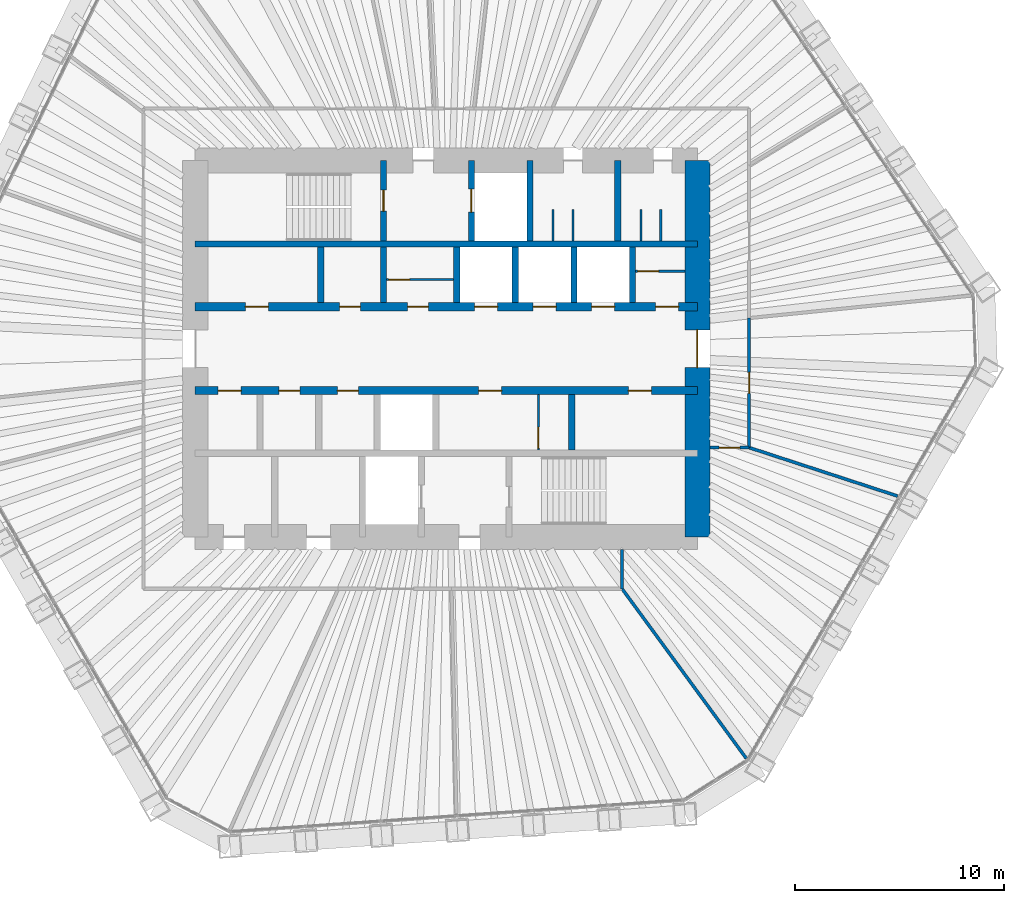
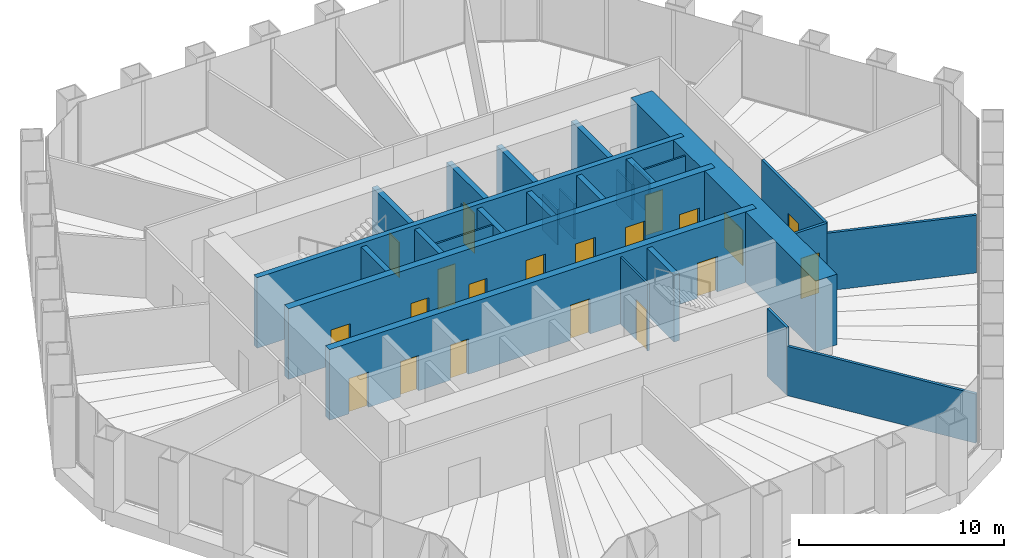
# One storey, part 11 of 14: 27 walls, 20 doors, 20 openings.
"""IFC4 building model written with IfcOpenShell, lengths in metres."""

from ifc_helpers import new_model, si_unit, direction, frame, frame_2d, origin, place, context, subcontext, project, spatial, rectangle, extrude, material, layer, layer_set, type_object, element, fill, save


model = new_model("IFC4")

# Units and contexts
model_context = context("Model", 3, precision=1e-05, world=origin(), true_north=direction((0.0, 1.0)))
body_context = subcontext(model_context, "Body", "Model", "MODEL_VIEW")
ifc_project = project(units=[si_unit("LENGTHUNIT", "METRE"), si_unit("AREAUNIT", "SQUARE_METRE"), si_unit("VOLUMEUNIT", "CUBIC_METRE"), si_unit("PLANEANGLEUNIT", "RADIAN"), si_unit("MASSUNIT", "GRAM", prefix="KILO")], contexts=[model_context])

# Site, building, storey
site_placement = place(None, origin())
site = spatial("IfcSite", under=ifc_project, at=site_placement, CompositionType="ELEMENT")
building_placement = place(site_placement, origin())
building = spatial("IfcBuilding", under=site, at=building_placement, Name="Qingtian Harvest Tower", CompositionType="ELEMENT")
storey_placement = place(building_placement, frame((0.0, 0.0, 201.39990234375)))
storey = spatial("IfcBuildingStorey", under=building, at=storey_placement, Name="L43", CompositionType="ELEMENT", Elevation=201.39990234375)

# Wall
ifc_material_1 = material(Name="Concrete fc' 70 MPa", Category="concrete")
ifc_layer_1 = layer(ifc_material_1, 0.300048828125)
ifc_layer_set_1 = layer_set([ifc_layer_1], Name="Core inner wall RC5 300")
wall_type_1 = type_object("IfcWallType", Name="Core inner wall RC5 300", PredefinedType="SHEAR", material=ifc_layer_set_1)
wall_1_placement = place(storey_placement, frame((-12.0, 5.0, 0.0), z_axis=(0.0, 0.0, 1.0), x_axis=(1.0, 0.0, 0.0)))
element("IfcWall", 1, at=wall_1_placement, inside=storey, type_object=wall_type_1, Name="Core wall IN5 L43", PredefinedType="SHEAR", context=body_context, shape_type="SweptSolid", body=[
    extrude(rectangle(XDim=24.0, YDim=0.300048828125, at=frame_2d((12.0, 0.0))), origin(), (0.0, 0.0, 1.0), 4.2001953125),
])

# Wall, openings, doors
ifc_material_2 = material(Name="Concrete fc' 70 MPa", Category="concrete")
ifc_layer_2 = layer(ifc_material_2, 0.39990234375)
ifc_layer_set_2 = layer_set([ifc_layer_2], Name="Core inner web RC6 400")
wall_type_2 = type_object("IfcWallType", Name="Core inner web RC6 400", PredefinedType="SHEAR", material=ifc_layer_set_2)
wall_2_placement = place(storey_placement, frame((-12.0, 2.0, 0.0), z_axis=(0.0, 0.0, 1.0), x_axis=(1.0, 0.0, 0.0)))
wall_2 = element("IfcWall", 2, at=wall_2_placement, inside=storey, type_object=wall_type_2, Name="Core wall IN2 L43", PredefinedType="SHEAR", context=body_context, shape_type="SweptSolid", body=[
    extrude(rectangle(XDim=24.0, YDim=0.39990234375, at=frame_2d((12.0, 0.0))), origin(), (0.0, 0.0, 1.0), 4.2001953125),
])
opening_1_placement = place(wall_2_placement, frame((2.39990234375, 0.0, 0.0)))
opening_1 = element("IfcOpeningElement", 3, at=opening_1_placement, cuts=wall_2, Name="Opening FD4", PredefinedType="OPENING", context=body_context, shape_type="SweptSolid", body=[
    extrude(rectangle(XDim=1.10009765625, YDim=2.10009765625, at=frame_2d((0.550048828125, 1.050048828125))), frame((0.0, 0.2099609375, 0.0), z_axis=(0.0, -1.0, 0.0), x_axis=(1.0, 0.0, 0.0)), (0.0, 0.0, 1.0), 0.419921875),
])
opening_2_placement = place(wall_2_placement, frame((22.0, 0.0, 0.0)))
opening_2 = element("IfcOpeningElement", 4, at=opening_2_placement, cuts=wall_2, Name="Opening FD4", PredefinedType="OPENING", context=body_context, shape_type="SweptSolid", body=[
    extrude(rectangle(XDim=1.10009765625, YDim=2.10009765625, at=frame_2d((0.550048828125, 1.050048828125))), frame((0.0, 0.2099609375, 0.0), z_axis=(0.0, -1.0, 0.0), x_axis=(1.0, 0.0, 0.0)), (0.0, 0.0, 1.0), 0.419921875),
])
opening_3_placement = place(wall_2_placement, frame((10.14990234375, 0.0, 0.0)))
opening_3 = element("IfcOpeningElement", 5, at=opening_3_placement, cuts=wall_2, Name="Opening FD1", PredefinedType="OPENING", context=body_context, shape_type="SweptSolid", body=[
    extrude(rectangle(XDim=1.0, YDim=2.10009765625, at=frame_2d((0.5, 1.050048828125))), frame((0.0, 0.2099609375, 0.0), z_axis=(0.0, -1.0, 0.0), x_axis=(1.0, 0.0, 0.0)), (0.0, 0.0, 1.0), 0.419921875),
])
opening_4_placement = place(wall_2_placement, frame((6.89990234375, 0.0, 0.0)))
opening_4 = element("IfcOpeningElement", 6, at=opening_4_placement, cuts=wall_2, Name="Opening FD1", PredefinedType="OPENING", context=body_context, shape_type="SweptSolid", body=[
    extrude(rectangle(XDim=1.0, YDim=2.10009765625, at=frame_2d((0.5, 1.050048828125))), frame((0.0, 0.2099609375, 0.0), z_axis=(0.0, -1.0, 0.0), x_axis=(1.0, 0.0, 0.0)), (0.0, 0.0, 1.0), 0.419921875),
])
opening_5_placement = place(wall_2_placement, frame((13.35009765625, 0.0, 0.0)))
opening_5 = element("IfcOpeningElement", 7, at=opening_5_placement, cuts=wall_2, Name="Opening LD1", PredefinedType="OPENING", context=body_context, shape_type="SweptSolid", body=[
    extrude(rectangle(XDim=1.10009765625, YDim=2.39990234375, at=frame_2d((0.550048828125, 1.199951171875))), frame((0.0, 0.2099609375, 0.0), z_axis=(0.0, -1.0, 0.0), x_axis=(1.0, 0.0, 0.0)), (0.0, 0.0, 1.0), 0.419921875),
])
opening_6_placement = place(wall_2_placement, frame((16.14990234375, 0.0, 0.0)))
opening_6 = element("IfcOpeningElement", 8, at=opening_6_placement, cuts=wall_2, Name="Opening LD1", PredefinedType="OPENING", context=body_context, shape_type="SweptSolid", body=[
    extrude(rectangle(XDim=1.10009765625, YDim=2.39990234375, at=frame_2d((0.550048828125, 1.199951171875))), frame((0.0, 0.2099609375, 0.0), z_axis=(0.0, -1.0, 0.0), x_axis=(1.0, 0.0, 0.0)), (0.0, 0.0, 1.0), 0.419921875),
])
opening_7_placement = place(wall_2_placement, frame((18.949951171875, 0.0, 0.0)))
opening_7 = element("IfcOpeningElement", 9, at=opening_7_placement, cuts=wall_2, Name="Opening LD1", PredefinedType="OPENING", context=body_context, shape_type="SweptSolid", body=[
    extrude(rectangle(XDim=1.10009765625, YDim=2.39990234375, at=frame_2d((0.550048828125, 1.199951171875))), frame((0.0, 0.2099609375, 0.0), z_axis=(0.0, -1.0, 0.0), x_axis=(1.0, 0.0, 0.0)), (0.0, 0.0, 1.0), 0.419921875),
])
ifc_material_3 = material(Name="Steel-faced door leaf", Category="steel")
door_type_1 = type_object("IfcDoorType", Name="Fire door FD1 single 1 HR", OperationType="SINGLE_SWING_LEFT", PredefinedType="DOOR", material=ifc_material_3)
door_1_placement = place(opening_3_placement, origin())
door_1 = element("IfcDoor", 10, at=door_1_placement, inside=storey, type_object=door_type_1, Name="STA door L43", OperationType="SINGLE_SWING_LEFT", OverallHeight=2.10009765625, OverallWidth=1.0, PredefinedType="DOOR", context=body_context, shape_type="SweptSolid", body=[
    extrude(rectangle(XDim=1.0, YDim=2.10009765625, at=frame_2d((0.5, 1.050048828125))), frame((0.0, 0.02490234375, 0.0), z_axis=(0.0, -1.0, 0.0), x_axis=(1.0, 0.0, 0.0)), (0.0, 0.0, 1.0), 0.050048828125),
])
fill(opening_3, door_1)
door_2_placement = place(opening_4_placement, origin())
door_2 = element("IfcDoor", 11, at=door_2_placement, inside=storey, type_object=door_type_1, Name="IT room door L43", OperationType="SINGLE_SWING_LEFT", OverallHeight=2.10009765625, OverallWidth=1.0, PredefinedType="DOOR", context=body_context, shape_type="SweptSolid", body=[
    extrude(rectangle(XDim=1.0, YDim=2.10009765625, at=frame_2d((0.5, 1.050048828125))), frame((0.0, 0.02490234375, 0.0), z_axis=(0.0, -1.0, 0.0), x_axis=(1.0, 0.0, 0.0)), (0.0, 0.0, 1.0), 0.050048828125),
])
fill(opening_4, door_2)
ifc_material_4 = material(Name="Steel-faced door leaf", Category="steel")
door_type_2 = type_object("IfcDoorType", Name="Fire door FD4 single 2 HR", OperationType="SINGLE_SWING_LEFT", PredefinedType="DOOR", material=ifc_material_4)
door_3_placement = place(opening_1_placement, origin())
door_3 = element("IfcDoor", 12, at=door_3_placement, inside=storey, type_object=door_type_2, Name="RA door L43", OperationType="SINGLE_SWING_LEFT", OverallHeight=2.10009765625, OverallWidth=1.10009765625, PredefinedType="DOOR", context=body_context, shape_type="SweptSolid", body=[
    extrude(rectangle(XDim=1.10009765625, YDim=2.10009765625, at=frame_2d((0.550048828125, 1.050048828125))), frame((0.0, 0.02490234375, 0.0), z_axis=(0.0, -1.0, 0.0), x_axis=(1.0, 0.0, 0.0)), (0.0, 0.0, 1.0), 0.050048828125),
])
fill(opening_1, door_3)
door_4_placement = place(opening_2_placement, origin())
door_4 = element("IfcDoor", 13, at=door_4_placement, inside=storey, type_object=door_type_2, Name="AHU door L43", OperationType="SINGLE_SWING_RIGHT", OverallHeight=2.10009765625, OverallWidth=1.10009765625, PredefinedType="DOOR", context=body_context, shape_type="SweptSolid", body=[
    extrude(rectangle(XDim=1.10009765625, YDim=2.10009765625, at=frame_2d((0.550048828125, 1.050048828125))), frame((0.0, 0.02490234375, 0.0), z_axis=(0.0, -1.0, 0.0), x_axis=(1.0, 0.0, 0.0)), (0.0, 0.0, 1.0), 0.050048828125),
])
fill(opening_2, door_4)
ifc_material_5 = material(Name="Stainless steel lift landing door", Category="steel")
door_type_3 = type_object("IfcDoorType", Name="Lift landing door LD1 1 HR", OperationType="DOUBLE_DOOR_SLIDING", PredefinedType="DOOR", material=ifc_material_5)
door_5_placement = place(opening_5_placement, origin())
door_5 = element("IfcDoor", 14, at=door_5_placement, inside=storey, type_object=door_type_3, Name="PLC1 landing door L43", OperationType="DOUBLE_DOOR_SLIDING", OverallHeight=2.39990234375, OverallWidth=1.10009765625, PredefinedType="DOOR", context=body_context, shape_type="SweptSolid", body=[
    extrude(rectangle(XDim=1.10009765625, YDim=2.39990234375, at=frame_2d((0.550048828125, 1.199951171875))), frame((0.0, 0.02490234375, 0.0), z_axis=(0.0, -1.0, 0.0), x_axis=(1.0, 0.0, 0.0)), (0.0, 0.0, 1.0), 0.050048828125),
])
fill(opening_5, door_5)
door_6_placement = place(opening_6_placement, origin())
door_6 = element("IfcDoor", 15, at=door_6_placement, inside=storey, type_object=door_type_3, Name="PLC2 landing door L43", OperationType="DOUBLE_DOOR_SLIDING", OverallHeight=2.39990234375, OverallWidth=1.10009765625, PredefinedType="DOOR", context=body_context, shape_type="SweptSolid", body=[
    extrude(rectangle(XDim=1.10009765625, YDim=2.39990234375, at=frame_2d((0.550048828125, 1.199951171875))), frame((0.0, 0.02490234375, 0.0), z_axis=(0.0, -1.0, 0.0), x_axis=(1.0, 0.0, 0.0)), (0.0, 0.0, 1.0), 0.050048828125),
])
fill(opening_6, door_6)
door_7_placement = place(opening_7_placement, origin())
door_7 = element("IfcDoor", 16, at=door_7_placement, inside=storey, type_object=door_type_3, Name="PLC3 landing door L43", OperationType="DOUBLE_DOOR_SLIDING", OverallHeight=2.39990234375, OverallWidth=1.10009765625, PredefinedType="DOOR", context=body_context, shape_type="SweptSolid", body=[
    extrude(rectangle(XDim=1.10009765625, YDim=2.39990234375, at=frame_2d((0.550048828125, 1.199951171875))), frame((0.0, 0.02490234375, 0.0), z_axis=(0.0, -1.0, 0.0), x_axis=(1.0, 0.0, 0.0)), (0.0, 0.0, 1.0), 0.050048828125),
])
fill(opening_7, door_7)

wall_3_placement = place(storey_placement, frame((-12.0, -2.0, 0.0), z_axis=(0.0, 0.0, 1.0), x_axis=(1.0, 0.0, 0.0)))
wall_3 = element("IfcWall", 17, at=wall_3_placement, inside=storey, type_object=wall_type_2, Name="Core wall IS2 L43", PredefinedType="SHEAR", context=body_context, shape_type="SweptSolid", body=[
    extrude(rectangle(XDim=24.0, YDim=0.39990234375, at=frame_2d((12.0, 0.0))), origin(), (0.0, 0.0, 1.0), 4.2001953125),
])
opening_8_placement = place(wall_3_placement, frame((1.10009765625, 0.0, 0.0)))
opening_8 = element("IfcOpeningElement", 18, at=opening_8_placement, cuts=wall_3, Name="Opening FD4", PredefinedType="OPENING", context=body_context, shape_type="SweptSolid", body=[
    extrude(rectangle(XDim=1.10009765625, YDim=2.10009765625, at=frame_2d((0.550048828125, 1.050048828125))), frame((0.0, 0.2099609375, 0.0), z_axis=(0.0, -1.0, 0.0), x_axis=(1.0, 0.0, 0.0)), (0.0, 0.0, 1.0), 0.419921875),
])
opening_9_placement = place(wall_3_placement, frame((13.550048828125, 0.0, 0.0)))
opening_9 = element("IfcOpeningElement", 19, at=opening_9_placement, cuts=wall_3, Name="Opening FD4", PredefinedType="OPENING", context=body_context, shape_type="SweptSolid", body=[
    extrude(rectangle(XDim=1.10009765625, YDim=2.10009765625, at=frame_2d((0.550048828125, 1.050048828125))), frame((0.0, 0.2099609375, 0.0), z_axis=(0.0, -1.0, 0.0), x_axis=(1.0, 0.0, 0.0)), (0.0, 0.0, 1.0), 0.419921875),
])
opening_10_placement = place(wall_3_placement, frame((20.699951171875, 0.0, 0.0)))
opening_10 = element("IfcOpeningElement", 20, at=opening_10_placement, cuts=wall_3, Name="Opening FD4", PredefinedType="OPENING", context=body_context, shape_type="SweptSolid", body=[
    extrude(rectangle(XDim=1.10009765625, YDim=2.10009765625, at=frame_2d((0.550048828125, 1.050048828125))), frame((0.0, 0.2099609375, 0.0), z_axis=(0.0, -1.0, 0.0), x_axis=(1.0, 0.0, 0.0)), (0.0, 0.0, 1.0), 0.419921875),
])
opening_11_placement = place(wall_3_placement, frame((4.0, 0.0, 0.0)))
opening_11 = element("IfcOpeningElement", 21, at=opening_11_placement, cuts=wall_3, Name="Opening FD1", PredefinedType="OPENING", context=body_context, shape_type="SweptSolid", body=[
    extrude(rectangle(XDim=1.0, YDim=2.10009765625, at=frame_2d((0.5, 1.050048828125))), frame((0.0, 0.2099609375, 0.0), z_axis=(0.0, -1.0, 0.0), x_axis=(1.0, 0.0, 0.0)), (0.0, 0.0, 1.0), 0.419921875),
])
opening_12_placement = place(wall_3_placement, frame((6.800048828125, 0.0, 0.0)))
opening_12 = element("IfcOpeningElement", 22, at=opening_12_placement, cuts=wall_3, Name="Opening FD1", PredefinedType="OPENING", context=body_context, shape_type="SweptSolid", body=[
    extrude(rectangle(XDim=1.0, YDim=2.10009765625, at=frame_2d((0.5, 1.050048828125))), frame((0.0, 0.2099609375, 0.0), z_axis=(0.0, -1.0, 0.0), x_axis=(1.0, 0.0, 0.0)), (0.0, 0.0, 1.0), 0.419921875),
])
door_8_placement = place(opening_11_placement, origin())
door_8 = element("IfcDoor", 23, at=door_8_placement, inside=storey, type_object=door_type_1, Name="IT room door L43", OperationType="SINGLE_SWING_RIGHT", OverallHeight=2.10009765625, OverallWidth=1.0, PredefinedType="DOOR", context=body_context, shape_type="SweptSolid", body=[
    extrude(rectangle(XDim=1.0, YDim=2.10009765625, at=frame_2d((0.5, 1.050048828125))), frame((0.0, 0.02490234375, 0.0), z_axis=(0.0, -1.0, 0.0), x_axis=(1.0, 0.0, 0.0)), (0.0, 0.0, 1.0), 0.050048828125),
])
fill(opening_11, door_8)
door_9_placement = place(opening_12_placement, origin())
door_9 = element("IfcDoor", 24, at=door_9_placement, inside=storey, type_object=door_type_1, Name="Store door L43", OperationType="SINGLE_SWING_RIGHT", OverallHeight=2.10009765625, OverallWidth=1.0, PredefinedType="DOOR", context=body_context, shape_type="SweptSolid", body=[
    extrude(rectangle(XDim=1.0, YDim=2.10009765625, at=frame_2d((0.5, 1.050048828125))), frame((0.0, 0.02490234375, 0.0), z_axis=(0.0, -1.0, 0.0), x_axis=(1.0, 0.0, 0.0)), (0.0, 0.0, 1.0), 0.050048828125),
])
fill(opening_12, door_9)
door_10_placement = place(opening_8_placement, origin())
door_10 = element("IfcDoor", 25, at=door_10_placement, inside=storey, type_object=door_type_2, Name="RB door L43", OperationType="SINGLE_SWING_RIGHT", OverallHeight=2.10009765625, OverallWidth=1.10009765625, PredefinedType="DOOR", context=body_context, shape_type="SweptSolid", body=[
    extrude(rectangle(XDim=1.10009765625, YDim=2.10009765625, at=frame_2d((0.550048828125, 1.050048828125))), frame((0.0, 0.02490234375, 0.0), z_axis=(0.0, -1.0, 0.0), x_axis=(1.0, 0.0, 0.0)), (0.0, 0.0, 1.0), 0.050048828125),
])
fill(opening_8, door_10)
door_11_placement = place(opening_9_placement, origin())
door_11 = element("IfcDoor", 26, at=door_11_placement, inside=storey, type_object=door_type_2, Name="ELEC door L43", OperationType="SINGLE_SWING_LEFT", OverallHeight=2.10009765625, OverallWidth=1.10009765625, PredefinedType="DOOR", context=body_context, shape_type="SweptSolid", body=[
    extrude(rectangle(XDim=1.10009765625, YDim=2.10009765625, at=frame_2d((0.550048828125, 1.050048828125))), frame((0.0, 0.02490234375, 0.0), z_axis=(0.0, -1.0, 0.0), x_axis=(1.0, 0.0, 0.0)), (0.0, 0.0, 1.0), 0.050048828125),
])
fill(opening_9, door_11)
door_12_placement = place(opening_10_placement, origin())
door_12 = element("IfcDoor", 27, at=door_12_placement, inside=storey, type_object=door_type_2, Name="DUCT door L43", OperationType="SINGLE_SWING_LEFT", OverallHeight=2.10009765625, OverallWidth=1.10009765625, PredefinedType="DOOR", context=body_context, shape_type="SweptSolid", body=[
    extrude(rectangle(XDim=1.10009765625, YDim=2.10009765625, at=frame_2d((0.550048828125, 1.050048828125))), frame((0.0, 0.02490234375, 0.0), z_axis=(0.0, -1.0, 0.0), x_axis=(1.0, 0.0, 0.0)), (0.0, 0.0, 1.0), 0.050048828125),
])
fill(opening_10, door_12)

# Wall, opening, door
ifc_material_6 = material(Name="Precast concrete shaft panel", Category="concrete")
ifc_layer_3 = layer(ifc_material_6, 0.300048828125)
ifc_layer_set_3 = layer_set([ifc_layer_3], Name="Core shaft partition SW1 300")
wall_type_3 = type_object("IfcWallType", Name="Core shaft partition SW1 300", PredefinedType="PARTITIONING", material=ifc_layer_set_3)
wall_4_placement = place(storey_placement, frame((-3.0, 5.14990234375, 0.0), z_axis=(0.0, 0.0, 1.0), x_axis=(0.0, 1.0, 0.0)))
wall_4 = element("IfcWall", 28, at=wall_4_placement, inside=storey, type_object=wall_type_3, Name="Core shaft partition XN1 L43", PredefinedType="PARTITIONING", context=body_context, shape_type="SweptSolid", body=[
    extrude(rectangle(XDim=3.85009765625, YDim=0.300048828125, at=frame_2d((1.925048828125, 0.0))), origin(), (0.0, 0.0, 1.0), 3.97998046875),
])
opening_13_placement = place(wall_4_placement, frame((1.425048828125, 0.0, 0.0)))
opening_13 = element("IfcOpeningElement", 29, at=opening_13_placement, cuts=wall_4, Name="Opening FD1", PredefinedType="OPENING", context=body_context, shape_type="SweptSolid", body=[
    extrude(rectangle(XDim=1.0, YDim=2.10009765625, at=frame_2d((0.5, 1.050048828125))), frame((0.0, 0.159912109375, 0.0), z_axis=(0.0, -1.0, 0.0), x_axis=(1.0, 0.0, 0.0)), (0.0, 0.0, 1.0), 0.320068359375),
])
door_13_placement = place(opening_13_placement, origin())
door_13 = element("IfcDoor", 30, at=door_13_placement, inside=storey, type_object=door_type_1, Name="S1 door L43", OperationType="SINGLE_SWING_LEFT", OverallHeight=2.10009765625, OverallWidth=1.0, PredefinedType="DOOR", context=body_context, shape_type="SweptSolid", body=[
    extrude(rectangle(XDim=1.0, YDim=2.10009765625, at=frame_2d((0.5, 1.050048828125))), frame((0.0, 0.02490234375, 0.0), z_axis=(0.0, -1.0, 0.0), x_axis=(1.0, 0.0, 0.0)), (0.0, 0.0, 1.0), 0.050048828125),
])
fill(opening_13, door_13)

wall_5_placement = place(storey_placement, frame((1.199951171875, 5.14990234375, 0.0), z_axis=(0.0, 0.0, 1.0), x_axis=(0.0, 1.0, 0.0)))
wall_5 = element("IfcWall", 31, at=wall_5_placement, inside=storey, type_object=wall_type_3, Name="Core shaft partition XN2 L43", PredefinedType="PARTITIONING", context=body_context, shape_type="SweptSolid", body=[
    extrude(rectangle(XDim=3.85009765625, YDim=0.300048828125, at=frame_2d((1.925048828125, 0.0))), origin(), (0.0, 0.0, 1.0), 3.97998046875),
])
opening_14_placement = place(wall_5_placement, frame((1.375, 0.0, 0.0)))
opening_14 = element("IfcOpeningElement", 32, at=opening_14_placement, cuts=wall_5, Name="Opening LD1", PredefinedType="OPENING", context=body_context, shape_type="SweptSolid", body=[
    extrude(rectangle(XDim=1.10009765625, YDim=2.39990234375, at=frame_2d((0.550048828125, 1.199951171875))), frame((0.0, 0.159912109375, 0.0), z_axis=(0.0, -1.0, 0.0), x_axis=(1.0, 0.0, 0.0)), (0.0, 0.0, 1.0), 0.320068359375),
])
door_14_placement = place(opening_14_placement, origin())
door_14 = element("IfcDoor", 33, at=door_14_placement, inside=storey, type_object=door_type_3, Name="FL1 landing door L43", OperationType="DOUBLE_DOOR_SLIDING", OverallHeight=2.39990234375, OverallWidth=1.10009765625, PredefinedType="DOOR", context=body_context, shape_type="SweptSolid", body=[
    extrude(rectangle(XDim=1.10009765625, YDim=2.39990234375, at=frame_2d((0.550048828125, 1.199951171875))), frame((0.0, 0.02490234375, 0.0), z_axis=(0.0, -1.0, 0.0), x_axis=(1.0, 0.0, 0.0)), (0.0, 0.0, 1.0), 0.050048828125),
])
fill(opening_14, door_14)

# Walls
for number, where, z_axis, x_axis, name in (
    (34, (4.0, 5.14990234375, 0.0), (0.0, 0.0, 1.0), (0.0, 1.0, 0.0), "Core shaft partition XN3 L43"),
    (35, (8.199951171875, 5.14990234375, 0.0), (0.0, 0.0, 1.0), (0.0, 1.0, 0.0), "Core shaft partition XN4 L43"),
):
    element("IfcWall", number, at=place(storey_placement, frame(where, z_axis=z_axis, x_axis=x_axis)), inside=storey, type_object=wall_type_3, Name=name, PredefinedType="PARTITIONING", context=body_context, shape_type="SweptSolid", body=[
        extrude(rectangle(XDim=3.85009765625, YDim=0.300048828125, at=frame_2d((1.925048828125, 0.0))), origin(), (0.0, 0.0, 1.0), 3.97998046875),
    ])
for number, where, z_axis, x_axis, name in (
    (36, (-6.0, 2.199951171875, 0.0), (0.0, 0.0, 1.0), (0.0, 1.0, 0.0), "Core shaft partition XA1 L43"),
    (37, (-3.0, 2.199951171875, 0.0), (0.0, 0.0, 1.0), (0.0, 1.0, 0.0), "Core shaft partition XA2 L43"),
    (38, (0.5, 2.199951171875, 0.0), (0.0, 0.0, 1.0), (0.0, 1.0, 0.0), "Core shaft partition XA3 L43"),
    (39, (3.300048828125, 2.199951171875, 0.0), (0.0, 0.0, 1.0), (0.0, 1.0, 0.0), "Core shaft partition XA4 L43"),
    (40, (6.10009765625, 2.199951171875, 0.0), (0.0, 0.0, 1.0), (0.0, 1.0, 0.0), "Core shaft partition XA5 L43"),
    (41, (8.89990234375, 2.199951171875, 0.0), (0.0, 0.0, 1.0), (0.0, 1.0, 0.0), "Core shaft partition XA6 L43"),
    (42, (6.0, -4.85009765625, 0.0), (0.0, 0.0, 1.0), (0.0, 1.0, 0.0), "Core shaft partition XB5 L43"),
):
    element("IfcWall", number, at=place(storey_placement, frame(where, z_axis=z_axis, x_axis=x_axis)), inside=storey, type_object=wall_type_3, Name=name, PredefinedType="PARTITIONING", context=body_context, shape_type="SweptSolid", body=[
        extrude(rectangle(XDim=2.650146484375, YDim=0.300048828125, at=frame_2d((1.3251953125, 0.0))), origin(), (0.0, 0.0, 1.0), 3.97998046875),
    ])

# Wall, opening, door
ifc_material_7 = material(Name="Concrete fc' 70 MPa", Category="concrete")
ifc_layer_4 = layer(ifc_material_7, 1.199951171875)
ifc_layer_set_4 = layer_set([ifc_layer_4], Name="Core wall RC2 1200")
wall_type_4 = type_object("IfcWallType", Name="Core wall RC2 1200", PredefinedType="SHEAR", material=ifc_layer_set_4)
wall_6_placement = place(storey_placement, frame((12.0, -9.0, 0.0), z_axis=(0.0, 0.0, 1.0), x_axis=(0.0, 1.0, 0.0)))
wall_6 = element("IfcWall", 43, at=wall_6_placement, inside=storey, type_object=wall_type_4, Name="Core wall CE L43", PredefinedType="SHEAR", context=body_context, shape_type="SweptSolid", body=[
    extrude(rectangle(XDim=18.0, YDim=1.199951171875, at=frame_2d((9.0, 0.0))), origin(), (0.0, 0.0, 1.0), 4.2001953125),
])
opening_15_placement = place(wall_6_placement, frame((8.10009765625, 0.0, 0.0)))
opening_15 = element("IfcOpeningElement", 44, at=opening_15_placement, cuts=wall_6, Name="Opening FD2", PredefinedType="OPENING", context=body_context, shape_type="SweptSolid", body=[
    extrude(rectangle(XDim=1.800048828125, YDim=2.10009765625, at=frame_2d((0.89990234375, 1.050048828125))), frame((0.0, 0.60986328125, 0.0), z_axis=(0.0, -1.0, 0.0), x_axis=(1.0, 0.0, 0.0)), (0.0, 0.0, 1.0), 1.219970703125),
])
ifc_material_8 = material(Name="Steel-faced door leaf", Category="steel")
door_type_4 = type_object("IfcDoorType", Name="Fire door FD2 double 1 HR", OperationType="DOUBLE_DOOR_DOUBLE_SWING", PredefinedType="DOOR", material=ifc_material_8)
door_15_placement = place(opening_15_placement, origin())
door_15 = element("IfcDoor", 45, at=door_15_placement, inside=storey, type_object=door_type_4, Name="LOBBY-E door L43", OperationType="DOUBLE_DOOR_DOUBLE_SWING", OverallHeight=2.10009765625, OverallWidth=1.800048828125, PredefinedType="DOOR", context=body_context, shape_type="SweptSolid", body=[
    extrude(rectangle(XDim=1.800048828125, YDim=2.10009765625, at=frame_2d((0.89990234375, 1.050048828125))), frame((0.0, 0.02490234375, 0.0), z_axis=(0.0, -1.0, 0.0), x_axis=(1.0, 0.0, 0.0)), (0.0, 0.0, 1.0), 0.050048828125),
])
fill(opening_15, door_15)

ifc_material_9 = material(Name="Gypsum board on steel studs", Category="steel")
ifc_layer_5 = layer(ifc_material_9, 0.14990234375)
ifc_layer_set_5 = layer_set([ifc_layer_5], Name="Partition PT1 150")
wall_type_5 = type_object("IfcWallType", Name="Partition PT1 150", PredefinedType="PARTITIONING", material=ifc_layer_set_5)
wall_7_placement = place(storey_placement, frame((14.47509765625, 1.462646484375, 0.0), z_axis=(0.0, 0.0, 1.0), x_axis=(0.0, -1.0, 0.0)))
wall_7 = element("IfcWall", 46, at=wall_7_placement, inside=storey, type_object=wall_type_5, Name="Meeting room wall L43", PredefinedType="PARTITIONING", context=body_context, shape_type="SweptSolid", body=[
    extrude(rectangle(XDim=6.18994140625, YDim=0.14990234375, at=frame_2d((3.094970703125, 0.0))), origin(), (0.0, 0.0, 1.0), 4.030029296875),
])
opening_16_placement = place(wall_7_placement, frame((2.594970703125, 0.0, 0.0)))
opening_16 = element("IfcOpeningElement", 47, at=opening_16_placement, cuts=wall_7, Name="Opening D2", PredefinedType="OPENING", context=body_context, shape_type="SweptSolid", body=[
    extrude(rectangle(XDim=1.0, YDim=2.39990234375, at=frame_2d((0.5, 1.199951171875))), frame((0.0, 0.0849609375, 0.0), z_axis=(0.0, -1.0, 0.0), x_axis=(1.0, 0.0, 0.0)), (0.0, 0.0, 1.0), 0.169921875),
])
ifc_material_10 = material(Name="Laminated timber door leaf", Category="wood")
door_type_5 = type_object("IfcDoorType", Name="Room door D2 single", OperationType="SINGLE_SWING_LEFT", PredefinedType="DOOR", material=ifc_material_10)
door_16_placement = place(opening_16_placement, origin())
door_16 = element("IfcDoor", 48, at=door_16_placement, inside=storey, type_object=door_type_5, Name="Meeting room door L43", OperationType="SINGLE_SWING_LEFT", OverallHeight=2.39990234375, OverallWidth=1.0, PredefinedType="DOOR", context=body_context, shape_type="SweptSolid", body=[
    extrude(rectangle(XDim=1.0, YDim=2.39990234375, at=frame_2d((0.5, 1.199951171875))), frame((0.0, 0.02490234375, 0.0), z_axis=(0.0, -1.0, 0.0), x_axis=(1.0, 0.0, 0.0)), (0.0, 0.0, 1.0), 0.050048828125),
])
fill(opening_16, door_16)

# Wall
wall_8_placement = place(storey_placement, frame((21.56982421875, -7.04443359375, 0.0), z_axis=(0.0, 0.0, 1.0), x_axis=(-0.950585953502, 0.310461503258, 0.0)))
element("IfcWall", 49, at=wall_8_placement, inside=storey, type_object=wall_type_5, Name="Office suite wall L43", PredefinedType="PARTITIONING", context=body_context, shape_type="SweptSolid", body=[
    extrude(rectangle(XDim=7.463623046875, YDim=0.14990234375, at=frame_2d((3.73193359375, 0.0))), origin(), (0.0, 0.0, 1.0), 3.43017578125),
])

# Wall, opening, door
wall_9_placement = place(storey_placement, frame((14.47509765625, -4.727294921875, 0.0), z_axis=(0.0, 0.0, 1.0), x_axis=(-1.0, 0.0, 0.0)))
wall_9 = element("IfcWall", 50, at=wall_9_placement, inside=storey, type_object=wall_type_5, Name="Office suite wall L43", PredefinedType="PARTITIONING", context=body_context, shape_type="SweptSolid", body=[
    extrude(rectangle(XDim=1.875, YDim=0.14990234375, at=frame_2d((0.9375, 0.0))), origin(), (0.0, 0.0, 1.0), 4.030029296875),
])
opening_17_placement = place(wall_9_placement, frame((0.4375, 0.0, 0.0)))
opening_17 = element("IfcOpeningElement", 51, at=opening_17_placement, cuts=wall_9, Name="Opening D2", PredefinedType="OPENING", context=body_context, shape_type="SweptSolid", body=[
    extrude(rectangle(XDim=1.0, YDim=2.39990234375, at=frame_2d((0.5, 1.199951171875))), frame((0.0, 0.0849609375, 0.0), z_axis=(0.0, -1.0, 0.0), x_axis=(1.0, 0.0, 0.0)), (0.0, 0.0, 1.0), 0.169921875),
])
door_17_placement = place(opening_17_placement, origin())
door_17 = element("IfcDoor", 52, at=door_17_placement, inside=storey, type_object=door_type_5, Name="Office suite door L43", OperationType="SINGLE_SWING_LEFT", OverallHeight=2.39990234375, OverallWidth=1.0, PredefinedType="DOOR", context=body_context, shape_type="SweptSolid", body=[
    extrude(rectangle(XDim=1.0, YDim=2.39990234375, at=frame_2d((0.5, 1.199951171875))), frame((0.0, 0.02490234375, 0.0), z_axis=(0.0, -1.0, 0.0), x_axis=(1.0, 0.0, 0.0)), (0.0, 0.0, 1.0), 0.050048828125),
])
fill(opening_17, door_17)

# Walls
wall_10_placement = place(storey_placement, frame((8.402587890625, -9.60009765625, 0.0), z_axis=(0.0, 0.0, 1.0), x_axis=(0.0, -1.0, 0.0)))
element("IfcWall", 53, at=wall_10_placement, inside=storey, type_object=wall_type_5, Name="Office suite wall L43", PredefinedType="PARTITIONING", context=body_context, shape_type="SweptSolid", body=[
    extrude(rectangle(XDim=1.875, YDim=0.14990234375, at=frame_2d((0.9375, 0.0))), origin(), (0.0, 0.0, 1.0), 4.030029296875),
])
wall_11_placement = place(storey_placement, frame((14.338623046875, -19.581787109375, 0.0), z_axis=(0.0, 0.0, 1.0), x_axis=(-0.590789413226, 0.806825798559, 0.0)))
element("IfcWall", 54, at=wall_11_placement, inside=storey, type_object=wall_type_5, Name="Meeting room wall L43", PredefinedType="PARTITIONING", context=body_context, shape_type="SweptSolid", body=[
    extrude(rectangle(XDim=10.047607421875, YDim=0.14990234375, at=frame_2d((5.02392578125, 0.0))), origin(), (0.0, 0.0, 1.0), 2.93017578125),
])

# Wall, opening, door
ifc_material_11 = material(Name="Concrete block partition", Category="concrete")
ifc_layer_6 = layer(ifc_material_11, 0.10009765625)
ifc_layer_set_6 = layer_set([ifc_layer_6], Name="Store partition PT3 100")
wall_type_6 = type_object("IfcWallType", Name="Store partition PT3 100", PredefinedType="PARTITIONING", material=ifc_layer_set_6)
wall_12_placement = place(storey_placement, frame((-2.85009765625, 3.300048828125, 0.0), z_axis=(0.0, 0.0, 1.0), x_axis=(1.0, 0.0, 0.0)))
wall_12 = element("IfcWall", 55, at=wall_12_placement, inside=storey, type_object=wall_type_6, Name="Linen store wall L43", PredefinedType="PARTITIONING", context=body_context, shape_type="SweptSolid", body=[
    extrude(rectangle(XDim=3.2001953125, YDim=0.10009765625, at=frame_2d((1.60009765625, 0.0))), origin(), (0.0, 0.0, 1.0), 3.97998046875),
])
opening_18_placement = place(wall_12_placement, frame((0.10009765625, 0.0, 0.0)))
opening_18 = element("IfcOpeningElement", 56, at=opening_18_placement, cuts=wall_12, Name="Opening D2", PredefinedType="OPENING", context=body_context, shape_type="SweptSolid", body=[
    extrude(rectangle(XDim=1.0, YDim=2.39990234375, at=frame_2d((0.5, 1.199951171875))), frame((0.0, 0.06005859375, 0.0), z_axis=(0.0, -1.0, 0.0), x_axis=(1.0, 0.0, 0.0)), (0.0, 0.0, 1.0), 0.1201171875),
])
door_18_placement = place(opening_18_placement, origin())
door_18 = element("IfcDoor", 57, at=door_18_placement, inside=storey, type_object=door_type_5, Name="Linen store door L43", OperationType="SINGLE_SWING_RIGHT", OverallHeight=2.39990234375, OverallWidth=1.0, PredefinedType="DOOR", context=body_context, shape_type="SweptSolid", body=[
    extrude(rectangle(XDim=1.0, YDim=2.39990234375, at=frame_2d((0.5, 1.199951171875))), frame((0.0, 0.02490234375, 0.0), z_axis=(0.0, -1.0, 0.0), x_axis=(1.0, 0.0, 0.0)), (0.0, 0.0, 1.0), 0.050048828125),
])
fill(opening_18, door_18)

wall_13_placement = place(storey_placement, frame((4.39990234375, -4.85009765625, 0.0), z_axis=(0.0, 0.0, 1.0), x_axis=(0.0, 1.0, 0.0)))
wall_13 = element("IfcWall", 58, at=wall_13_placement, inside=storey, type_object=wall_type_6, Name="Comms room wall L43", PredefinedType="PARTITIONING", context=body_context, shape_type="SweptSolid", body=[
    extrude(rectangle(XDim=2.650146484375, YDim=0.10009765625, at=frame_2d((1.3251953125, 0.0))), origin(), (0.0, 0.0, 1.0), 3.97998046875),
])
opening_19_placement = place(wall_13_placement, frame((0.10009765625, 0.0, 0.0)))
opening_19 = element("IfcOpeningElement", 59, at=opening_19_placement, cuts=wall_13, Name="Opening D2", PredefinedType="OPENING", context=body_context, shape_type="SweptSolid", body=[
    extrude(rectangle(XDim=1.0, YDim=2.39990234375, at=frame_2d((0.5, 1.199951171875))), frame((0.0, 0.06005859375, 0.0), z_axis=(0.0, -1.0, 0.0), x_axis=(1.0, 0.0, 0.0)), (0.0, 0.0, 1.0), 0.1201171875),
])
door_19_placement = place(opening_19_placement, origin())
door_19 = element("IfcDoor", 60, at=door_19_placement, inside=storey, type_object=door_type_5, Name="Comms room door L43", OperationType="SINGLE_SWING_RIGHT", OverallHeight=2.39990234375, OverallWidth=1.0, PredefinedType="DOOR", context=body_context, shape_type="SweptSolid", body=[
    extrude(rectangle(XDim=1.0, YDim=2.39990234375, at=frame_2d((0.5, 1.199951171875))), frame((0.0, 0.02490234375, 0.0), z_axis=(0.0, -1.0, 0.0), x_axis=(1.0, 0.0, 0.0)), (0.0, 0.0, 1.0), 0.050048828125),
])
fill(opening_19, door_19)

wall_14_placement = place(storey_placement, frame((9.050048828125, 3.699951171875, 0.0), z_axis=(0.0, 0.0, 1.0), x_axis=(1.0, 0.0, 0.0)))
wall_14 = element("IfcWall", 61, at=wall_14_placement, inside=storey, type_object=wall_type_6, Name="Filter plant room wall L43", PredefinedType="PARTITIONING", context=body_context, shape_type="SweptSolid", body=[
    extrude(rectangle(XDim=2.349853515625, YDim=0.10009765625, at=frame_2d((1.1748046875, 0.0))), origin(), (0.0, 0.0, 1.0), 3.97998046875),
])
opening_20_placement = place(wall_14_placement, frame((0.10009765625, 0.0, 0.0)))
opening_20 = element("IfcOpeningElement", 62, at=opening_20_placement, cuts=wall_14, Name="Opening D2", PredefinedType="OPENING", context=body_context, shape_type="SweptSolid", body=[
    extrude(rectangle(XDim=1.0, YDim=2.39990234375, at=frame_2d((0.5, 1.199951171875))), frame((0.0, 0.06005859375, 0.0), z_axis=(0.0, -1.0, 0.0), x_axis=(1.0, 0.0, 0.0)), (0.0, 0.0, 1.0), 0.1201171875),
])
door_20_placement = place(opening_20_placement, origin())
door_20 = element("IfcDoor", 63, at=door_20_placement, inside=storey, type_object=door_type_5, Name="Filter plant room door L43", OperationType="SINGLE_SWING_LEFT", OverallHeight=2.39990234375, OverallWidth=1.0, PredefinedType="DOOR", context=body_context, shape_type="SweptSolid", body=[
    extrude(rectangle(XDim=1.0, YDim=2.39990234375, at=frame_2d((0.5, 1.199951171875))), frame((0.0, 0.02490234375, 0.0), z_axis=(0.0, -1.0, 0.0), x_axis=(1.0, 0.0, 0.0)), (0.0, 0.0, 1.0), 0.050048828125),
])
fill(opening_20, door_20)

# Walls
ifc_material_12 = material(Name="Compact laminate cubicle partition", Category="plastic")
ifc_layer_7 = layer(ifc_material_12, 0.10009765625)
ifc_layer_set_7 = layer_set([ifc_layer_7], Name="WC cubicle partition WP1 100")
wall_type_7 = type_object("IfcWallType", Name="WC cubicle partition WP1 100", PredefinedType="PARTITIONING", material=ifc_layer_set_7)
for number, where, z_axis, x_axis, name in (
    (64, (5.10009765625, 5.14990234375, 0.0), (0.0, 0.0, 1.0), (0.0, 1.0, 0.0), "WC cubicle partition WCM L43"),
    (65, (6.050048828125, 5.14990234375, 0.0), (0.0, 0.0, 1.0), (0.0, 1.0, 0.0), "WC cubicle partition WCM L43"),
    (66, (9.300048828125, 5.14990234375, 0.0), (0.0, 0.0, 1.0), (0.0, 1.0, 0.0), "WC cubicle partition WCF L43"),
    (67, (10.25, 5.14990234375, 0.0), (0.0, 0.0, 1.0), (0.0, 1.0, 0.0), "WC cubicle partition WCF L43"),
):
    element("IfcWall", number, at=place(storey_placement, frame(where, z_axis=z_axis, x_axis=x_axis)), inside=storey, type_object=wall_type_7, Name=name, PredefinedType="PARTITIONING", context=body_context, shape_type="SweptSolid", body=[
        extrude(rectangle(XDim=1.5, YDim=0.10009765625, at=frame_2d((0.75, 0.0))), origin(), (0.0, 0.0, 1.0), 2.10009765625),
    ])

save(model, "model.ifc")
